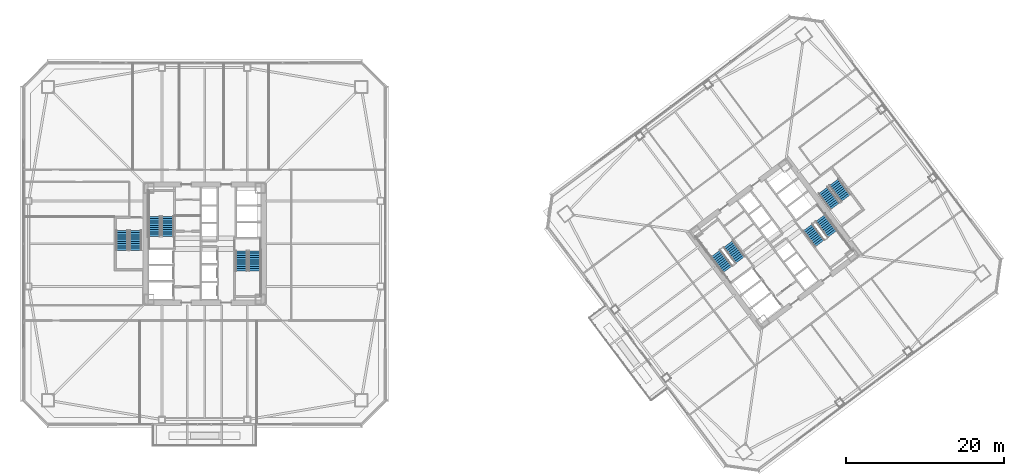
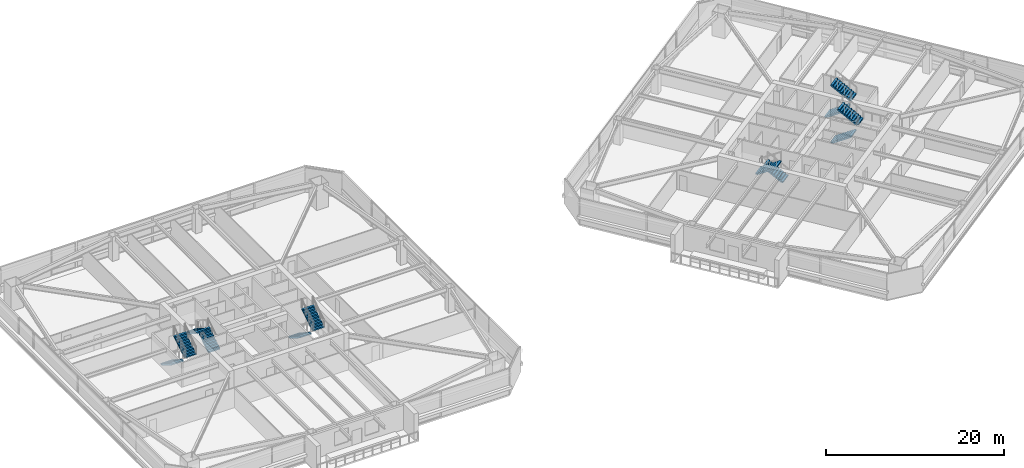
# One storey, part 40 of 48: 12 stair flights, 6 elements without a shape of their own.
"""IFC4 building model written with IfcOpenShell, lengths in metres."""

from ifc_helpers import new_model, si_unit, direction, frame, origin, place, context, subcontext, project, spatial, polyline, outline, extrude, material, type_object, element, aggregate, save


model = new_model("IFC4")

# Units and contexts
model_context = context("Model", 3, precision=1e-05, world=origin(), true_north=direction((0.0, 1.0)))
body_context = subcontext(model_context, "Body", "Model", "MODEL_VIEW")
ifc_project = project(units=[si_unit("LENGTHUNIT", "METRE"), si_unit("AREAUNIT", "SQUARE_METRE"), si_unit("VOLUMEUNIT", "CUBIC_METRE"), si_unit("PLANEANGLEUNIT", "RADIAN"), si_unit("MASSUNIT", "GRAM", prefix="KILO")], contexts=[model_context])

# Site, building, storey
site_placement = place(None, origin())
site = spatial("IfcSite", under=ifc_project, at=site_placement, CompositionType="ELEMENT")
building_placement = place(site_placement, origin())
building = spatial("IfcBuilding", under=site, at=building_placement, Name="Tashvorn Skyway Center", CompositionType="ELEMENT")
storey_placement = place(building_placement, frame((0.0, 0.0, 56.550048828125)))
storey = spatial("IfcBuildingStorey", under=building, at=storey_placement, Name="L14", CompositionType="ELEMENT", Elevation=56.550048828125)

# Stair, stair flights
ifc_material = material(Name="Concrete C40/50", Category="concrete")
stair_type = type_object("IfcStairType", Name="STAIR-CORE-1500", PredefinedType="HALF_TURN_STAIR", material=ifc_material)
stair_1_placement = place(storey_placement, origin())
stair_1 = element("IfcStair", 1, at=stair_1_placement, inside=storey, type_object=stair_type, Name="L14 Tower 1 Exit Stair 1", PredefinedType="HALF_TURN_STAIR")
stair_flight_type = type_object("IfcStairFlightType", Name="SFLIGHT-1500", PredefinedType="STRAIGHT", material=ifc_material)
stair_flight_1_placement = place(storey_placement, frame((37.35009765625, 32.919921875, 0.0), z_axis=(0.0, 0.0, 1.0), x_axis=(0.0, 1.0, 0.0)))
stair_flight_1 = element("IfcStairFlight", 2, at=stair_flight_1_placement, type_object=stair_flight_type, Name="ST-T1-1 flight 1", NumberOfRisers=10, NumberOfTreads=9, PredefinedType="STRAIGHT", RiserHeight=0.1775, TreadLength=0.28, context=body_context, shape_type="SweptSolid", body=[
    extrude(outline(polyline([(0.0, 0.0), (0.0, 0.177490234375), (0.280029296875, 0.177490234375), (0.280029296875, 0.35498046875), (0.56005859375, 0.35498046875), (0.56005859375, 0.532470703125), (0.840087890625, 0.532470703125), (0.840087890625, 0.7099609375), (1.1201171875, 0.7099609375), (1.1201171875, 0.887451171875), (1.39990234375, 0.887451171875), (1.39990234375, 1.06494140625), (1.679931640625, 1.06494140625), (1.679931640625, 1.242431640625), (1.9599609375, 1.242431640625), (1.9599609375, 1.419921875), (2.239990234375, 1.419921875), (2.239990234375, 1.597412109375), (2.52001953125, 1.597412109375), (2.52001953125, 1.77490234375), (2.52001953125, 1.419921875), (0.280029296875, 0.0), (0.0, 0.0)])), frame((0.0, 0.75, 0.0), z_axis=(0.0, -1.0, 0.0), x_axis=(1.0, 0.0, 0.0)), (0.0, 0.0, 1.0), 1.5),
])
stair_flight_2_placement = place(storey_placement, frame((35.64990234375, 35.43994140625, 1.77490234375), z_axis=(0.0, 0.0, 1.0), x_axis=(0.0, -1.0, 0.0)))
stair_flight_2 = element("IfcStairFlight", 3, at=stair_flight_2_placement, type_object=stair_flight_type, Name="ST-T1-1 flight 2", NumberOfRisers=10, NumberOfTreads=9, PredefinedType="STRAIGHT", RiserHeight=0.1775, TreadLength=0.28, context=body_context, shape_type="SweptSolid", body=[
    extrude(outline(polyline([(0.0, 0.0), (0.0, 0.177490234375), (0.280029296875, 0.177490234375), (0.280029296875, 0.35498046875), (0.56005859375, 0.35498046875), (0.56005859375, 0.532470703125), (0.840087890625, 0.532470703125), (0.840087890625, 0.7099609375), (1.1201171875, 0.7099609375), (1.1201171875, 0.887451171875), (1.39990234375, 0.887451171875), (1.39990234375, 1.06494140625), (1.679931640625, 1.06494140625), (1.679931640625, 1.242431640625), (1.9599609375, 1.242431640625), (1.9599609375, 1.419921875), (2.239990234375, 1.419921875), (2.239990234375, 1.597412109375), (2.52001953125, 1.597412109375), (2.52001953125, 1.77490234375), (2.52001953125, 1.419921875), (0.280029296875, 0.0), (0.0, 0.0)])), frame((0.0, 0.75, 0.0), z_axis=(0.0, -1.0, 0.0), x_axis=(1.0, 0.0, 0.0)), (0.0, 0.0, 1.0), 1.5),
])
aggregate(stair_1, [stair_flight_1, stair_flight_2])

stair_2_placement = place(storey_placement, origin())
stair_2 = element("IfcStair", 4, at=stair_2_placement, inside=storey, type_object=stair_type, Name="L14 Tower 1 Exit Stair 2", PredefinedType="HALF_TURN_STAIR")
stair_flight_3_placement = place(storey_placement, frame((46.64990234375, 31.080078125, 0.0), z_axis=(0.0, 0.0, 1.0), x_axis=(0.0, -1.0, 0.0)))
stair_flight_3 = element("IfcStairFlight", 5, at=stair_flight_3_placement, type_object=stair_flight_type, Name="ST-T1-2 flight 1", NumberOfRisers=10, NumberOfTreads=9, PredefinedType="STRAIGHT", RiserHeight=0.1775, TreadLength=0.28, context=body_context, shape_type="SweptSolid", body=[
    extrude(outline(polyline([(0.0, 0.0), (0.0, 0.177490234375), (0.280029296875, 0.177490234375), (0.280029296875, 0.35498046875), (0.56005859375, 0.35498046875), (0.56005859375, 0.532470703125), (0.840087890625, 0.532470703125), (0.840087890625, 0.7099609375), (1.1201171875, 0.7099609375), (1.1201171875, 0.887451171875), (1.39990234375, 0.887451171875), (1.39990234375, 1.06494140625), (1.679931640625, 1.06494140625), (1.679931640625, 1.242431640625), (1.9599609375, 1.242431640625), (1.9599609375, 1.419921875), (2.239990234375, 1.419921875), (2.239990234375, 1.597412109375), (2.52001953125, 1.597412109375), (2.52001953125, 1.77490234375), (2.52001953125, 1.419921875), (0.280029296875, 0.0), (0.0, 0.0)])), frame((0.0, 0.75, 0.0), z_axis=(0.0, -1.0, 0.0), x_axis=(1.0, 0.0, 0.0)), (0.0, 0.0, 1.0), 1.5),
])
stair_flight_4_placement = place(storey_placement, frame((48.35009765625, 28.56005859375, 1.77490234375), z_axis=(0.0, 0.0, 1.0), x_axis=(0.0, 1.0, 0.0)))
stair_flight_4 = element("IfcStairFlight", 6, at=stair_flight_4_placement, type_object=stair_flight_type, Name="ST-T1-2 flight 2", NumberOfRisers=10, NumberOfTreads=9, PredefinedType="STRAIGHT", RiserHeight=0.1775, TreadLength=0.28, context=body_context, shape_type="SweptSolid", body=[
    extrude(outline(polyline([(0.0, 0.0), (0.0, 0.177490234375), (0.280029296875, 0.177490234375), (0.280029296875, 0.35498046875), (0.56005859375, 0.35498046875), (0.56005859375, 0.532470703125), (0.840087890625, 0.532470703125), (0.840087890625, 0.7099609375), (1.1201171875, 0.7099609375), (1.1201171875, 0.887451171875), (1.39990234375, 0.887451171875), (1.39990234375, 1.06494140625), (1.679931640625, 1.06494140625), (1.679931640625, 1.242431640625), (1.9599609375, 1.242431640625), (1.9599609375, 1.419921875), (2.239990234375, 1.419921875), (2.239990234375, 1.597412109375), (2.52001953125, 1.597412109375), (2.52001953125, 1.77490234375), (2.52001953125, 1.419921875), (0.280029296875, 0.0), (0.0, 0.0)])), frame((0.0, 0.75, 0.0), z_axis=(0.0, -1.0, 0.0), x_axis=(1.0, 0.0, 0.0)), (0.0, 0.0, 1.0), 1.5),
])
aggregate(stair_2, [stair_flight_3, stair_flight_4])

stair_3_placement = place(storey_placement, origin())
stair_3 = element("IfcStair", 7, at=stair_3_placement, inside=storey, type_object=stair_type, Name="L14 Tower 2 Exit Stair 1", PredefinedType="HALF_TURN_STAIR")
stair_flight_5_placement = place(storey_placement, frame((109.72802734375, 29.946044921875, 0.0), z_axis=(0.0, 0.0, 1.0), x_axis=(-0.600000004945, 0.799999996291, 0.0)))
stair_flight_5 = element("IfcStairFlight", 8, at=stair_flight_5_placement, type_object=stair_flight_type, Name="ST-T2-1 flight 1", NumberOfRisers=10, NumberOfTreads=9, PredefinedType="STRAIGHT", RiserHeight=0.1775, TreadLength=0.28, context=body_context, shape_type="SweptSolid", body=[
    extrude(outline(polyline([(0.0, 0.0), (0.0, 0.177490234375), (0.280029296875, 0.177490234375), (0.280029296875, 0.35498046875), (0.56005859375, 0.35498046875), (0.56005859375, 0.532470703125), (0.840087890625, 0.532470703125), (0.840087890625, 0.7099609375), (1.1201171875, 0.7099609375), (1.1201171875, 0.887451171875), (1.39990234375, 0.887451171875), (1.39990234375, 1.06494140625), (1.679931640625, 1.06494140625), (1.679931640625, 1.242431640625), (1.9599609375, 1.242431640625), (1.9599609375, 1.419921875), (2.239990234375, 1.419921875), (2.239990234375, 1.597412109375), (2.52001953125, 1.597412109375), (2.52001953125, 1.77490234375), (2.52001953125, 1.419921875), (0.280029296875, 0.0), (0.0, 0.0)])), frame((0.0, 0.75, 0.0), z_axis=(0.0, -1.0, 0.0), x_axis=(1.0, 0.0, 0.0)), (0.0, 0.0, 1.0), 1.5),
])
stair_flight_6_placement = place(storey_placement, frame((106.632080078125, 30.77392578125, 1.77490234375), z_axis=(0.0, 0.0, 1.0), x_axis=(0.600000004945, -0.799999996291, 0.0)))
stair_flight_6 = element("IfcStairFlight", 9, at=stair_flight_6_placement, type_object=stair_flight_type, Name="ST-T2-1 flight 2", NumberOfRisers=10, NumberOfTreads=9, PredefinedType="STRAIGHT", RiserHeight=0.1775, TreadLength=0.28, context=body_context, shape_type="SweptSolid", body=[
    extrude(outline(polyline([(0.0, 0.0), (0.0, 0.177490234375), (0.280029296875, 0.177490234375), (0.280029296875, 0.35498046875), (0.56005859375, 0.35498046875), (0.56005859375, 0.532470703125), (0.840087890625, 0.532470703125), (0.840087890625, 0.7099609375), (1.1201171875, 0.7099609375), (1.1201171875, 0.887451171875), (1.39990234375, 0.887451171875), (1.39990234375, 1.06494140625), (1.679931640625, 1.06494140625), (1.679931640625, 1.242431640625), (1.9599609375, 1.242431640625), (1.9599609375, 1.419921875), (2.239990234375, 1.419921875), (2.239990234375, 1.597412109375), (2.52001953125, 1.597412109375), (2.52001953125, 1.77490234375), (2.52001953125, 1.419921875), (0.280029296875, 0.0), (0.0, 0.0)])), frame((0.0, 0.75, 0.0), z_axis=(0.0, -1.0, 0.0), x_axis=(1.0, 0.0, 0.0)), (0.0, 0.0, 1.0), 1.5),
])
aggregate(stair_3, [stair_flight_5, stair_flight_6])

stair_4_placement = place(storey_placement, origin())
stair_4 = element("IfcStair", 10, at=stair_4_placement, inside=storey, type_object=stair_type, Name="L14 Tower 2 Exit Stair 2", PredefinedType="HALF_TURN_STAIR")
stair_flight_7_placement = place(storey_placement, frame((118.27197265625, 34.053955078125, 0.0), z_axis=(0.0, 0.0, 1.0), x_axis=(0.600000004945, -0.799999996291, 0.0)))
stair_flight_7 = element("IfcStairFlight", 11, at=stair_flight_7_placement, type_object=stair_flight_type, Name="ST-T2-2 flight 1", NumberOfRisers=10, NumberOfTreads=9, PredefinedType="STRAIGHT", RiserHeight=0.1775, TreadLength=0.28, context=body_context, shape_type="SweptSolid", body=[
    extrude(outline(polyline([(0.0, 0.0), (0.0, 0.177490234375), (0.280029296875, 0.177490234375), (0.280029296875, 0.35498046875), (0.56005859375, 0.35498046875), (0.56005859375, 0.532470703125), (0.840087890625, 0.532470703125), (0.840087890625, 0.7099609375), (1.1201171875, 0.7099609375), (1.1201171875, 0.887451171875), (1.39990234375, 0.887451171875), (1.39990234375, 1.06494140625), (1.679931640625, 1.06494140625), (1.679931640625, 1.242431640625), (1.9599609375, 1.242431640625), (1.9599609375, 1.419921875), (2.239990234375, 1.419921875), (2.239990234375, 1.597412109375), (2.52001953125, 1.597412109375), (2.52001953125, 1.77490234375), (2.52001953125, 1.419921875), (0.280029296875, 0.0), (0.0, 0.0)])), frame((0.0, 0.75, 0.0), z_axis=(0.0, -1.0, 0.0), x_axis=(1.0, 0.0, 0.0)), (0.0, 0.0, 1.0), 1.5),
])
stair_flight_8_placement = place(storey_placement, frame((121.367919921875, 33.22607421875, 1.77490234375), z_axis=(0.0, 0.0, 1.0), x_axis=(-0.600000004945, 0.799999996291, 0.0)))
stair_flight_8 = element("IfcStairFlight", 12, at=stair_flight_8_placement, type_object=stair_flight_type, Name="ST-T2-2 flight 2", NumberOfRisers=10, NumberOfTreads=9, PredefinedType="STRAIGHT", RiserHeight=0.1775, TreadLength=0.28, context=body_context, shape_type="SweptSolid", body=[
    extrude(outline(polyline([(0.0, 0.0), (0.0, 0.177490234375), (0.280029296875, 0.177490234375), (0.280029296875, 0.35498046875), (0.56005859375, 0.35498046875), (0.56005859375, 0.532470703125), (0.840087890625, 0.532470703125), (0.840087890625, 0.7099609375), (1.1201171875, 0.7099609375), (1.1201171875, 0.887451171875), (1.39990234375, 0.887451171875), (1.39990234375, 1.06494140625), (1.679931640625, 1.06494140625), (1.679931640625, 1.242431640625), (1.9599609375, 1.242431640625), (1.9599609375, 1.419921875), (2.239990234375, 1.419921875), (2.239990234375, 1.597412109375), (2.52001953125, 1.597412109375), (2.52001953125, 1.77490234375), (2.52001953125, 1.419921875), (0.280029296875, 0.0), (0.0, 0.0)])), frame((0.0, 0.75, 0.0), z_axis=(0.0, -1.0, 0.0), x_axis=(1.0, 0.0, 0.0)), (0.0, 0.0, 1.0), 1.5),
])
aggregate(stair_4, [stair_flight_7, stair_flight_8])

stair_5_placement = place(storey_placement, origin())
stair_5 = element("IfcStair", 13, at=stair_5_placement, inside=storey, type_object=stair_type, Name="L14 Tower 1 Exit Stair 3", PredefinedType="HALF_TURN_STAIR")
stair_flight_9_placement = place(storey_placement, frame((31.550048828125, 33.679931640625, 0.0), z_axis=(0.0, 0.0, 1.0), x_axis=(0.0, -1.0, 0.0)))
stair_flight_9 = element("IfcStairFlight", 14, at=stair_flight_9_placement, type_object=stair_flight_type, Name="ST-T1-3 flight 1", NumberOfRisers=10, NumberOfTreads=9, PredefinedType="STRAIGHT", RiserHeight=0.1775, TreadLength=0.28, context=body_context, shape_type="SweptSolid", body=[
    extrude(outline(polyline([(0.0, 0.0), (0.0, 0.177490234375), (0.280029296875, 0.177490234375), (0.280029296875, 0.35498046875), (0.56005859375, 0.35498046875), (0.56005859375, 0.532470703125), (0.840087890625, 0.532470703125), (0.840087890625, 0.7099609375), (1.1201171875, 0.7099609375), (1.1201171875, 0.887451171875), (1.39990234375, 0.887451171875), (1.39990234375, 1.06494140625), (1.679931640625, 1.06494140625), (1.679931640625, 1.242431640625), (1.9599609375, 1.242431640625), (1.9599609375, 1.419921875), (2.239990234375, 1.419921875), (2.239990234375, 1.597412109375), (2.52001953125, 1.597412109375), (2.52001953125, 1.77490234375), (2.52001953125, 1.419921875), (0.280029296875, 0.0), (0.0, 0.0)])), frame((0.0, 0.75, 0.0), z_axis=(0.0, -1.0, 0.0), x_axis=(1.0, 0.0, 0.0)), (0.0, 0.0, 1.0), 1.5),
])
stair_flight_10_placement = place(storey_placement, frame((33.25, 31.159912109375, 1.77490234375), z_axis=(0.0, 0.0, 1.0), x_axis=(0.0, 1.0, 0.0)))
stair_flight_10 = element("IfcStairFlight", 15, at=stair_flight_10_placement, type_object=stair_flight_type, Name="ST-T1-3 flight 2", NumberOfRisers=10, NumberOfTreads=9, PredefinedType="STRAIGHT", RiserHeight=0.1775, TreadLength=0.28, context=body_context, shape_type="SweptSolid", body=[
    extrude(outline(polyline([(0.0, 0.0), (0.0, 0.177490234375), (0.280029296875, 0.177490234375), (0.280029296875, 0.35498046875), (0.56005859375, 0.35498046875), (0.56005859375, 0.532470703125), (0.840087890625, 0.532470703125), (0.840087890625, 0.7099609375), (1.1201171875, 0.7099609375), (1.1201171875, 0.887451171875), (1.39990234375, 0.887451171875), (1.39990234375, 1.06494140625), (1.679931640625, 1.06494140625), (1.679931640625, 1.242431640625), (1.9599609375, 1.242431640625), (1.9599609375, 1.419921875), (2.239990234375, 1.419921875), (2.239990234375, 1.597412109375), (2.52001953125, 1.597412109375), (2.52001953125, 1.77490234375), (2.52001953125, 1.419921875), (0.280029296875, 0.0), (0.0, 0.0)])), frame((0.0, 0.75, 0.0), z_axis=(0.0, -1.0, 0.0), x_axis=(1.0, 0.0, 0.0)), (0.0, 0.0, 1.0), 1.5),
])
aggregate(stair_5, [stair_flight_9, stair_flight_10])

stair_6_placement = place(storey_placement, origin())
stair_6 = element("IfcStair", 16, at=stair_6_placement, inside=storey, type_object=stair_type, Name="L14 Tower 2 Exit Stair 3", PredefinedType="HALF_TURN_STAIR")
stair_flight_11_placement = place(storey_placement, frame((120.216064453125, 38.761962890625, 0.0), z_axis=(0.0, 0.0, 1.0), x_axis=(0.600000004945, -0.799999996291, 0.0)))
stair_flight_11 = element("IfcStairFlight", 17, at=stair_flight_11_placement, type_object=stair_flight_type, Name="ST-T2-3 flight 1", NumberOfRisers=10, NumberOfTreads=9, PredefinedType="STRAIGHT", RiserHeight=0.1775, TreadLength=0.28, context=body_context, shape_type="SweptSolid", body=[
    extrude(outline(polyline([(0.0, 0.0), (0.0, 0.177490234375), (0.280029296875, 0.177490234375), (0.280029296875, 0.35498046875), (0.56005859375, 0.35498046875), (0.56005859375, 0.532470703125), (0.840087890625, 0.532470703125), (0.840087890625, 0.7099609375), (1.1201171875, 0.7099609375), (1.1201171875, 0.887451171875), (1.39990234375, 0.887451171875), (1.39990234375, 1.06494140625), (1.679931640625, 1.06494140625), (1.679931640625, 1.242431640625), (1.9599609375, 1.242431640625), (1.9599609375, 1.419921875), (2.239990234375, 1.419921875), (2.239990234375, 1.597412109375), (2.52001953125, 1.597412109375), (2.52001953125, 1.77490234375), (2.52001953125, 1.419921875), (0.280029296875, 0.0), (0.0, 0.0)])), frame((0.0, 0.75, 0.0), z_axis=(0.0, -1.0, 0.0), x_axis=(1.0, 0.0, 0.0)), (0.0, 0.0, 1.0), 1.5),
])
stair_flight_12_placement = place(storey_placement, frame((123.087890625, 37.76611328125, 1.77490234375), z_axis=(0.0, 0.0, 1.0), x_axis=(-0.600000004945, 0.799999996291, 0.0)))
stair_flight_12 = element("IfcStairFlight", 18, at=stair_flight_12_placement, type_object=stair_flight_type, Name="ST-T2-3 flight 2", NumberOfRisers=10, NumberOfTreads=9, PredefinedType="STRAIGHT", RiserHeight=0.1775, TreadLength=0.28, context=body_context, shape_type="SweptSolid", body=[
    extrude(outline(polyline([(0.0, 0.0), (0.0, 0.177490234375), (0.280029296875, 0.177490234375), (0.280029296875, 0.35498046875), (0.56005859375, 0.35498046875), (0.56005859375, 0.532470703125), (0.840087890625, 0.532470703125), (0.840087890625, 0.7099609375), (1.1201171875, 0.7099609375), (1.1201171875, 0.887451171875), (1.39990234375, 0.887451171875), (1.39990234375, 1.06494140625), (1.679931640625, 1.06494140625), (1.679931640625, 1.242431640625), (1.9599609375, 1.242431640625), (1.9599609375, 1.419921875), (2.239990234375, 1.419921875), (2.239990234375, 1.597412109375), (2.52001953125, 1.597412109375), (2.52001953125, 1.77490234375), (2.52001953125, 1.419921875), (0.280029296875, 0.0), (0.0, 0.0)])), frame((0.0, 0.75, 0.0), z_axis=(0.0, -1.0, 0.0), x_axis=(1.0, 0.0, 0.0)), (0.0, 0.0, 1.0), 1.5),
])
aggregate(stair_6, [stair_flight_11, stair_flight_12])

save(model, "model.ifc")
